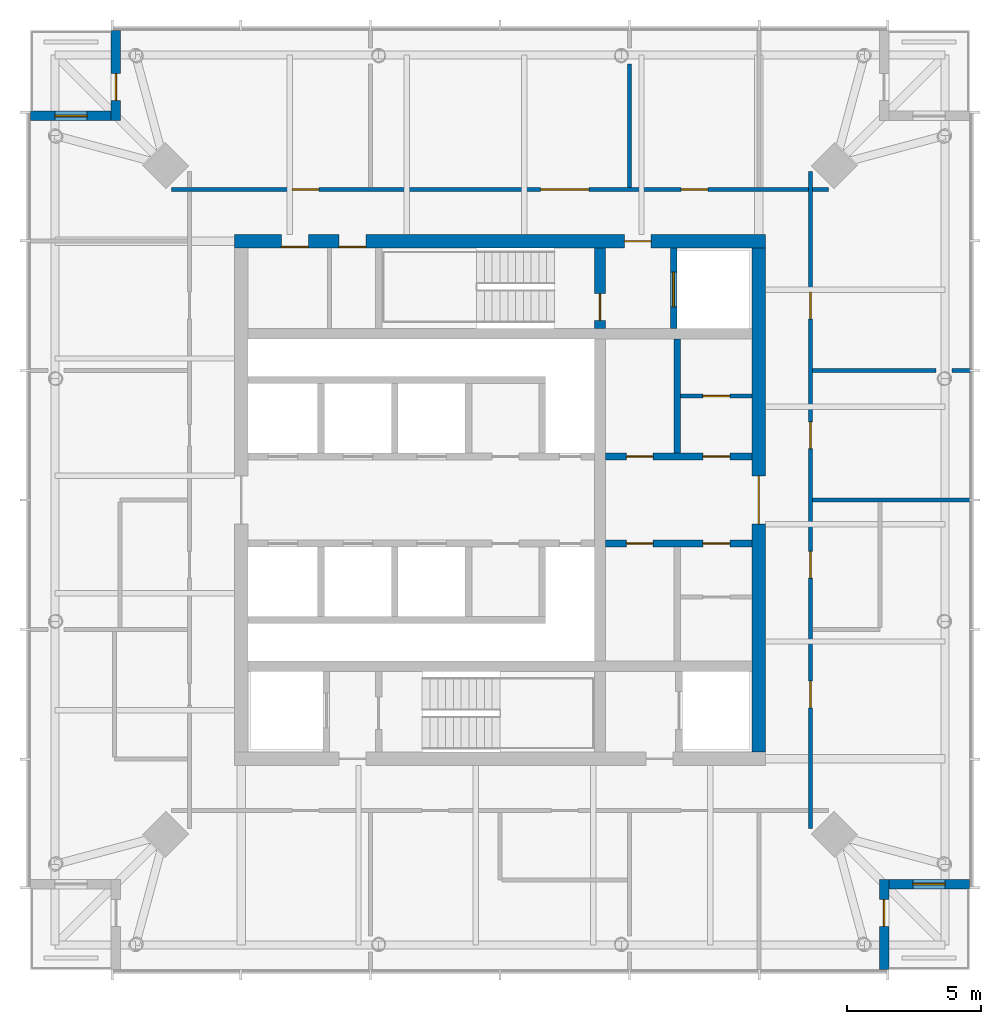
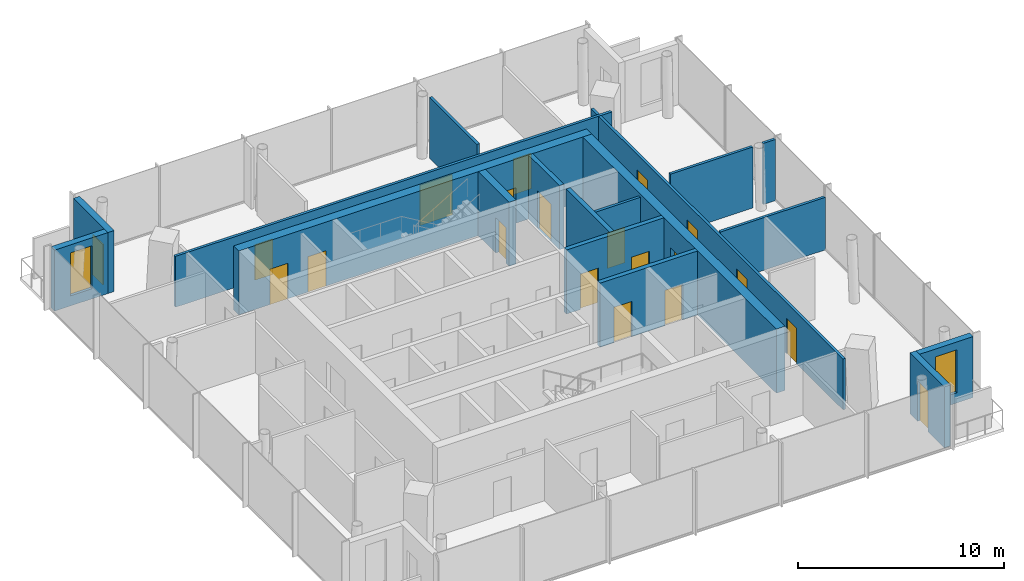
# One storey, part 5 of 7: 20 doors, 18 walls, 2 windows, 22 openings.
"""IFC4 building model written with IfcOpenShell, lengths in metres."""

from ifc_helpers import new_model, si_unit, direction, frame, frame_2d, origin, place, context, subcontext, project, spatial, rectangle, extrude, material, layer, layer_set, type_object, element, fill, save


model = new_model("IFC4")

# Units and contexts
model_context = context("Model", 3, precision=1e-05, world=origin(), true_north=direction((0.0, 1.0)))
body_context = subcontext(model_context, "Body", "Model", "MODEL_VIEW")
ifc_project = project(units=[si_unit("LENGTHUNIT", "METRE"), si_unit("AREAUNIT", "SQUARE_METRE"), si_unit("VOLUMEUNIT", "CUBIC_METRE"), si_unit("PLANEANGLEUNIT", "RADIAN"), si_unit("MASSUNIT", "GRAM", prefix="KILO")], contexts=[model_context])

# Site, building, storey
site_placement = place(None, origin())
site = spatial("IfcSite", under=ifc_project, at=site_placement, CompositionType="ELEMENT")
building_placement = place(site_placement, origin())
building = spatial("IfcBuilding", under=site, at=building_placement, Name="Ostroluk Exchange", CompositionType="ELEMENT")
storey_placement = place(building_placement, frame((0.0, 0.0, 252.800048828125)))
storey = spatial("IfcBuildingStorey", under=building, at=storey_placement, Name="L65", CompositionType="ELEMENT", Elevation=252.800048828125)

# Wall, opening, door
ifc_material_1 = material(Name="Concrete blockwork", Category="masonry")
ifc_layer_1 = layer(ifc_material_1, 0.14990234375)
ifc_layer_set_1 = layer_set([ifc_layer_1], Name="Blockwork plant room wall 150")
wall_type_1 = type_object("IfcWallType", Name="Blockwork plant room wall 150", PredefinedType="SOLIDWALL", material=ifc_layer_set_1)
wall_1_placement = place(storey_placement, frame((51.739990234375, 49.875, 0.0), z_axis=(0.0, 0.0, 1.0), x_axis=(1.0, 0.0, 0.0)))
wall_1 = element("IfcWall", 1, at=wall_1_placement, inside=storey, type_object=wall_type_1, Name="Core room wall", PredefinedType="SOLIDWALL", context=body_context, shape_type="SweptSolid", body=[
    extrude(rectangle(XDim=2.659912109375, YDim=0.14990234375, at=frame_2d((1.330078125, 0.0))), origin(), (0.0, 0.0, 1.0), 3.619873046875),
])
opening_1_placement = place(wall_1_placement, frame((0.830078125, 0.0, 0.0)))
opening_1 = element("IfcOpeningElement", 2, at=opening_1_placement, cuts=wall_1, Name="Opening FD60", PredefinedType="OPENING", context=body_context, shape_type="SweptSolid", body=[
    extrude(rectangle(XDim=1.0, YDim=2.10009765625, at=frame_2d((0.5, 1.050048828125))), frame((0.0, 0.0849609375, 0.0), z_axis=(0.0, -1.0, 0.0), x_axis=(1.0, 0.0, 0.0)), (0.0, 0.0, 1.0), 0.169921875),
])
ifc_material_2 = material(Name="Steel", Category="steel")
door_type_1 = type_object("IfcDoorType", Name="Fire door EI 60 1000 x 2100", OperationType="SINGLE_SWING_LEFT", PredefinedType="DOOR", material=ifc_material_2)
door_1_placement = place(opening_1_placement, origin())
door_1 = element("IfcDoor", 3, at=door_1_placement, inside=storey, type_object=door_type_1, Name="Equipment store door", OperationType="SINGLE_SWING_RIGHT", OverallHeight=2.10009765625, OverallWidth=1.0, PredefinedType="DOOR", context=body_context, shape_type="SweptSolid", body=[
    extrude(rectangle(XDim=1.0, YDim=2.10009765625, at=frame_2d((0.5, 1.050048828125))), frame((0.0, 0.02490234375, 0.0), z_axis=(0.0, -1.0, 0.0), x_axis=(1.0, 0.0, 0.0)), (0.0, 0.0, 1.0), 0.050048828125),
])
fill(opening_1, door_1)

ifc_material_3 = material(Name="Concrete C50/60", Category="concrete")
ifc_layer_2 = layer(ifc_material_3, 0.39990234375)
ifc_layer_set_2 = layer_set([ifc_layer_2], Name="Core cross wall 400 C50/60")
wall_type_2 = type_object("IfcWallType", Name="Core cross wall 400 C50/60", PredefinedType="SHEAR", material=ifc_layer_set_2)
wall_2_placement = place(storey_placement, frame((48.72998046875, 52.39990234375, 0.0), z_axis=(0.0, 0.0, 1.0), x_axis=(0.0, 1.0, 0.0)))
wall_2 = element("IfcWall", 4, at=wall_2_placement, inside=storey, type_object=wall_type_2, Name="T1 core wall YE3", PredefinedType="SHEAR", context=body_context, shape_type="SweptSolid", body=[
    extrude(rectangle(XDim=3.0, YDim=0.39990234375, at=frame_2d((1.5, 0.0))), origin(), (0.0, 0.0, 1.0), 3.800048828125),
])
opening_2_placement = place(wall_2_placement, frame((0.300048828125, 0.0, 0.0)))
opening_2 = element("IfcOpeningElement", 5, at=opening_2_placement, cuts=wall_2, Name="Opening FD60", PredefinedType="OPENING", context=body_context, shape_type="SweptSolid", body=[
    extrude(rectangle(XDim=1.0, YDim=2.10009765625, at=frame_2d((0.5, 1.050048828125))), frame((0.0, 0.2099609375, 0.0), z_axis=(0.0, -1.0, 0.0), x_axis=(1.0, 0.0, 0.0)), (0.0, 0.0, 1.0), 0.419921875),
])
door_2_placement = place(opening_2_placement, origin())
door_2 = element("IfcDoor", 6, at=door_2_placement, inside=storey, type_object=door_type_1, Name="Stair T1-S2 door", OperationType="SINGLE_SWING_LEFT", OverallHeight=2.10009765625, OverallWidth=1.0, PredefinedType="DOOR", context=body_context, shape_type="SweptSolid", body=[
    extrude(rectangle(XDim=1.0, YDim=2.10009765625, at=frame_2d((0.5, 1.050048828125))), frame((0.0, 0.02490234375, 0.0), z_axis=(0.0, -1.0, 0.0), x_axis=(1.0, 0.0, 0.0)), (0.0, 0.0, 1.0), 0.050048828125),
])
fill(opening_2, door_2)

ifc_material_4 = material(Name="Concrete C40/50", Category="concrete")
ifc_layer_3 = layer(ifc_material_4, 0.25)
ifc_layer_set_3 = layer_set([ifc_layer_3], Name="Core shaft wall 250")
wall_type_3 = type_object("IfcWallType", Name="Core shaft wall 250", PredefinedType="SHEAR", material=ifc_layer_set_3)
wall_3_placement = place(storey_placement, frame((51.47509765625, 52.39990234375, 0.0), z_axis=(0.0, 0.0, 1.0), x_axis=(0.0, 1.0, 0.0)))
wall_3 = element("IfcWall", 7, at=wall_3_placement, inside=storey, type_object=wall_type_3, Name="Firefighting lift shaft wall", PredefinedType="SHEAR", context=body_context, shape_type="SweptSolid", body=[
    extrude(rectangle(XDim=3.0, YDim=0.25, at=frame_2d((1.5, 0.0))), origin(), (0.0, 0.0, 1.0), 3.800048828125),
])
opening_3_placement = place(wall_3_placement, frame((0.800048828125, 0.0, 0.0)))
opening_3 = element("IfcOpeningElement", 8, at=opening_3_placement, cuts=wall_3, Name="Opening LD2", PredefinedType="OPENING", context=body_context, shape_type="SweptSolid", body=[
    extrude(rectangle(XDim=1.300048828125, YDim=2.199951171875, at=frame_2d((0.64990234375, 1.10009765625))), frame((0.0, 0.135009765625, 0.0), z_axis=(0.0, -1.0, 0.0), x_axis=(1.0, 0.0, 0.0)), (0.0, 0.0, 1.0), 0.27001953125),
])
ifc_material_5 = material(Name="Stainless steel", Category="steel")
door_type_2 = type_object("IfcDoorType", Name="Lift landing door E 60 1300 x 2200", OperationType="DOUBLE_DOOR_SLIDING", PredefinedType="DOOR", material=ifc_material_5)
door_3_placement = place(opening_3_placement, origin())
door_3 = element("IfcDoor", 9, at=door_3_placement, inside=storey, type_object=door_type_2, Name="Lift FL2 landing door", OperationType="DOUBLE_DOOR_SLIDING", OverallHeight=2.199951171875, OverallWidth=1.300048828125, PredefinedType="DOOR", context=body_context, shape_type="SweptSolid", body=[
    extrude(rectangle(XDim=1.300048828125, YDim=2.199951171875, at=frame_2d((0.64990234375, 1.10009765625))), frame((0.0, 0.02490234375, 0.0), z_axis=(0.0, -1.0, 0.0), x_axis=(1.0, 0.0, 0.0)), (0.0, 0.0, 1.0), 0.050048828125),
])
fill(opening_3, door_3)

# Wall
wall_4_placement = place(storey_placement, frame((51.614990234375, 47.75, 0.0), z_axis=(0.0, 0.0, 1.0), x_axis=(0.0, 1.0, 0.0)))
element("IfcWall", 10, at=wall_4_placement, inside=storey, type_object=wall_type_3, Name="Lift shaft wall", PredefinedType="SHEAR", context=body_context, shape_type="SweptSolid", body=[
    extrude(rectangle(XDim=4.25, YDim=0.25, at=frame_2d((2.125, 0.0))), origin(), (0.0, 0.0, 1.0), 3.800048828125),
])

# Wall, openings, doors
wall_5_placement = place(storey_placement, frame((48.929931640625, 47.625, 0.0), z_axis=(0.0, 0.0, 1.0), x_axis=(1.0, 0.0, 0.0)))
wall_5 = element("IfcWall", 11, at=wall_5_placement, inside=storey, type_object=wall_type_3, Name="Lift shaft front wall", PredefinedType="SHEAR", context=body_context, shape_type="SweptSolid", body=[
    extrude(rectangle(XDim=5.469970703125, YDim=0.25, at=frame_2d((2.73486328125, 0.0))), origin(), (0.0, 0.0, 1.0), 3.800048828125),
])
opening_4_placement = place(wall_5_placement, frame((0.780029296875, 0.0, 0.0)))
opening_4 = element("IfcOpeningElement", 12, at=opening_4_placement, cuts=wall_5, Name="Opening FD60", PredefinedType="OPENING", context=body_context, shape_type="SweptSolid", body=[
    extrude(rectangle(XDim=1.0, YDim=2.10009765625, at=frame_2d((0.5, 1.050048828125))), frame((0.0, 0.135009765625, 0.0), z_axis=(0.0, -1.0, 0.0), x_axis=(1.0, 0.0, 0.0)), (0.0, 0.0, 1.0), 0.27001953125),
])
opening_5_placement = place(wall_5_placement, frame((3.639892578125, 0.0, 0.0)))
opening_5 = element("IfcOpeningElement", 13, at=opening_5_placement, cuts=wall_5, Name="Opening FD60", PredefinedType="OPENING", context=body_context, shape_type="SweptSolid", body=[
    extrude(rectangle(XDim=1.0, YDim=2.10009765625, at=frame_2d((0.5, 1.050048828125))), frame((0.0, 0.135009765625, 0.0), z_axis=(0.0, -1.0, 0.0), x_axis=(1.0, 0.0, 0.0)), (0.0, 0.0, 1.0), 0.27001953125),
])
door_4_placement = place(opening_4_placement, origin())
door_4 = element("IfcDoor", 14, at=door_4_placement, inside=storey, type_object=door_type_1, Name="Core room door", OperationType="SINGLE_SWING_LEFT", OverallHeight=2.10009765625, OverallWidth=1.0, PredefinedType="DOOR", context=body_context, shape_type="SweptSolid", body=[
    extrude(rectangle(XDim=1.0, YDim=2.10009765625, at=frame_2d((0.5, 1.050048828125))), frame((0.0, 0.02490234375, 0.0), z_axis=(0.0, -1.0, 0.0), x_axis=(1.0, 0.0, 0.0)), (0.0, 0.0, 1.0), 0.050048828125),
])
fill(opening_4, door_4)
door_5_placement = place(opening_5_placement, origin())
door_5 = element("IfcDoor", 15, at=door_5_placement, inside=storey, type_object=door_type_1, Name="Core room door", OperationType="SINGLE_SWING_RIGHT", OverallHeight=2.10009765625, OverallWidth=1.0, PredefinedType="DOOR", context=body_context, shape_type="SweptSolid", body=[
    extrude(rectangle(XDim=1.0, YDim=2.10009765625, at=frame_2d((0.5, 1.050048828125))), frame((0.0, 0.02490234375, 0.0), z_axis=(0.0, -1.0, 0.0), x_axis=(1.0, 0.0, 0.0)), (0.0, 0.0, 1.0), 0.050048828125),
])
fill(opening_5, door_5)

wall_6_placement = place(storey_placement, frame((48.929931640625, 44.375, 0.0), z_axis=(0.0, 0.0, 1.0), x_axis=(1.0, 0.0, 0.0)))
wall_6 = element("IfcWall", 16, at=wall_6_placement, inside=storey, type_object=wall_type_3, Name="Lift shaft front wall", PredefinedType="SHEAR", context=body_context, shape_type="SweptSolid", body=[
    extrude(rectangle(XDim=5.469970703125, YDim=0.25, at=frame_2d((2.73486328125, 0.0))), origin(), (0.0, 0.0, 1.0), 3.800048828125),
])
opening_6_placement = place(wall_6_placement, frame((0.780029296875, 0.0, 0.0)))
opening_6 = element("IfcOpeningElement", 17, at=opening_6_placement, cuts=wall_6, Name="Opening FD60", PredefinedType="OPENING", context=body_context, shape_type="SweptSolid", body=[
    extrude(rectangle(XDim=1.0, YDim=2.10009765625, at=frame_2d((0.5, 1.050048828125))), frame((0.0, 0.135009765625, 0.0), z_axis=(0.0, -1.0, 0.0), x_axis=(1.0, 0.0, 0.0)), (0.0, 0.0, 1.0), 0.27001953125),
])
opening_7_placement = place(wall_6_placement, frame((3.639892578125, 0.0, 0.0)))
opening_7 = element("IfcOpeningElement", 18, at=opening_7_placement, cuts=wall_6, Name="Opening FD60", PredefinedType="OPENING", context=body_context, shape_type="SweptSolid", body=[
    extrude(rectangle(XDim=1.0, YDim=2.10009765625, at=frame_2d((0.5, 1.050048828125))), frame((0.0, 0.135009765625, 0.0), z_axis=(0.0, -1.0, 0.0), x_axis=(1.0, 0.0, 0.0)), (0.0, 0.0, 1.0), 0.27001953125),
])
door_6_placement = place(opening_6_placement, origin())
door_6 = element("IfcDoor", 19, at=door_6_placement, inside=storey, type_object=door_type_1, Name="Core room door", OperationType="SINGLE_SWING_LEFT", OverallHeight=2.10009765625, OverallWidth=1.0, PredefinedType="DOOR", context=body_context, shape_type="SweptSolid", body=[
    extrude(rectangle(XDim=1.0, YDim=2.10009765625, at=frame_2d((0.5, 1.050048828125))), frame((0.0, 0.02490234375, 0.0), z_axis=(0.0, -1.0, 0.0), x_axis=(1.0, 0.0, 0.0)), (0.0, 0.0, 1.0), 0.050048828125),
])
fill(opening_6, door_6)
door_7_placement = place(opening_7_placement, origin())
door_7 = element("IfcDoor", 20, at=door_7_placement, inside=storey, type_object=door_type_1, Name="Core room door", OperationType="SINGLE_SWING_RIGHT", OverallHeight=2.10009765625, OverallWidth=1.0, PredefinedType="DOOR", context=body_context, shape_type="SweptSolid", body=[
    extrude(rectangle(XDim=1.0, YDim=2.10009765625, at=frame_2d((0.5, 1.050048828125))), frame((0.0, 0.02490234375, 0.0), z_axis=(0.0, -1.0, 0.0), x_axis=(1.0, 0.0, 0.0)), (0.0, 0.0, 1.0), 0.050048828125),
])
fill(opening_7, door_7)

ifc_material_6 = material(Name="Concrete C50/60", Category="concrete")
ifc_layer_4 = layer(ifc_material_6, 0.5)
ifc_layer_set_4 = layer_set([ifc_layer_4], Name="Core wall 500 C50/60")
wall_type_4 = type_object("IfcWallType", Name="Core wall 500 C50/60", PredefinedType="SHEAR", material=ifc_layer_set_4)
wall_7_placement = place(storey_placement, frame((35.10009765625, 55.64990234375, 0.0), z_axis=(0.0, 0.0, 1.0), x_axis=(1.0, 0.0, 0.0)))
wall_7 = element("IfcWall", 21, at=wall_7_placement, inside=storey, type_object=wall_type_4, Name="T1 core wall N", PredefinedType="SHEAR", context=body_context, shape_type="SweptSolid", body=[
    extrude(rectangle(XDim=19.7998046875, YDim=0.5, at=frame_2d((9.89990234375, 0.0))), origin(), (0.0, 0.0, 1.0), 3.800048828125),
])
opening_8_placement = place(wall_7_placement, frame((14.5400390625, 0.0, 0.0)))
opening_8 = element("IfcOpeningElement", 22, at=opening_8_placement, cuts=wall_7, Name="Opening FD60", PredefinedType="OPENING", context=body_context, shape_type="SweptSolid", body=[
    extrude(rectangle(XDim=1.0, YDim=2.10009765625, at=frame_2d((0.5, 1.050048828125))), frame((0.0, 0.260009765625, 0.0), z_axis=(0.0, -1.0, 0.0), x_axis=(1.0, 0.0, 0.0)), (0.0, 0.0, 1.0), 0.52001953125),
])
opening_9_placement = place(wall_7_placement, frame((1.75, 0.0, 0.0)))
opening_9 = element("IfcOpeningElement", 23, at=opening_9_placement, cuts=wall_7, Name="Opening FD60", PredefinedType="OPENING", context=body_context, shape_type="SweptSolid", body=[
    extrude(rectangle(XDim=1.0, YDim=2.10009765625, at=frame_2d((0.5, 1.050048828125))), frame((0.0, 0.260009765625, 0.0), z_axis=(0.0, -1.0, 0.0), x_axis=(1.0, 0.0, 0.0)), (0.0, 0.0, 1.0), 0.52001953125),
])
opening_10_placement = place(wall_7_placement, frame((3.89501953125, 0.0, 0.0)))
opening_10 = element("IfcOpeningElement", 24, at=opening_10_placement, cuts=wall_7, Name="Opening FD60", PredefinedType="OPENING", context=body_context, shape_type="SweptSolid", body=[
    extrude(rectangle(XDim=1.0, YDim=2.10009765625, at=frame_2d((0.5, 1.050048828125))), frame((0.0, 0.260009765625, 0.0), z_axis=(0.0, -1.0, 0.0), x_axis=(1.0, 0.0, 0.0)), (0.0, 0.0, 1.0), 0.52001953125),
])
door_8_placement = place(opening_8_placement, origin())
door_8 = element("IfcDoor", 25, at=door_8_placement, inside=storey, type_object=door_type_1, Name="Firefighting lobby door", OperationType="SINGLE_SWING_RIGHT", OverallHeight=2.10009765625, OverallWidth=1.0, PredefinedType="DOOR", context=body_context, shape_type="SweptSolid", body=[
    extrude(rectangle(XDim=1.0, YDim=2.10009765625, at=frame_2d((0.5, 1.050048828125))), frame((0.0, 0.02490234375, 0.0), z_axis=(0.0, -1.0, 0.0), x_axis=(1.0, 0.0, 0.0)), (0.0, 0.0, 1.0), 0.050048828125),
])
fill(opening_8, door_8)
door_9_placement = place(opening_9_placement, origin())
door_9 = element("IfcDoor", 26, at=door_9_placement, inside=storey, type_object=door_type_1, Name="Tea point door", OperationType="SINGLE_SWING_LEFT", OverallHeight=2.10009765625, OverallWidth=1.0, PredefinedType="DOOR", context=body_context, shape_type="SweptSolid", body=[
    extrude(rectangle(XDim=1.0, YDim=2.10009765625, at=frame_2d((0.5, 1.050048828125))), frame((0.0, -0.18994140625, 0.0), z_axis=(0.0, -1.0, 0.0), x_axis=(1.0, 0.0, 0.0)), (0.0, 0.0, 1.0), 0.050048828125),
])
fill(opening_9, door_9)
door_10_placement = place(opening_10_placement, origin())
door_10 = element("IfcDoor", 27, at=door_10_placement, inside=storey, type_object=door_type_1, Name="Store door", OperationType="SINGLE_SWING_LEFT", OverallHeight=2.10009765625, OverallWidth=1.0, PredefinedType="DOOR", context=body_context, shape_type="SweptSolid", body=[
    extrude(rectangle(XDim=1.0, YDim=2.10009765625, at=frame_2d((0.5, 1.050048828125))), frame((0.0, -0.18994140625, 0.0), z_axis=(0.0, -1.0, 0.0), x_axis=(1.0, 0.0, 0.0)), (0.0, 0.0, 1.0), 0.050048828125),
])
fill(opening_10, door_10)

# Wall, opening, door
wall_8_placement = place(storey_placement, frame((54.64990234375, 36.60009765625, 0.0), z_axis=(0.0, 0.0, 1.0), x_axis=(0.0, 1.0, 0.0)))
wall_8 = element("IfcWall", 28, at=wall_8_placement, inside=storey, type_object=wall_type_4, Name="T1 core wall E", PredefinedType="SHEAR", context=body_context, shape_type="SweptSolid", body=[
    extrude(rectangle(XDim=18.7998046875, YDim=0.5, at=frame_2d((9.39990234375, 0.0))), origin(), (0.0, 0.0, 1.0), 3.800048828125),
])
opening_11_placement = place(wall_8_placement, frame((8.5, 0.0, 0.0)))
opening_11 = element("IfcOpeningElement", 29, at=opening_11_placement, cuts=wall_8, Name="Opening FD30D", PredefinedType="OPENING", context=body_context, shape_type="SweptSolid", body=[
    extrude(rectangle(XDim=1.800048828125, YDim=2.39990234375, at=frame_2d((0.89990234375, 1.199951171875))), frame((0.0, 0.260009765625, 0.0), z_axis=(0.0, -1.0, 0.0), x_axis=(1.0, 0.0, 0.0)), (0.0, 0.0, 1.0), 0.52001953125),
])
ifc_material_7 = material(Name="Timber", Category="wood")
door_type_3 = type_object("IfcDoorType", Name="Lobby double door EI 30 1800 x 2400", OperationType="DOUBLE_DOOR_SINGLE_SWING", PredefinedType="DOOR", material=ifc_material_7)
door_11_placement = place(opening_11_placement, origin())
door_11 = element("IfcDoor", 30, at=door_11_placement, inside=storey, type_object=door_type_3, Name="Lift lobby doors", OperationType="DOUBLE_DOOR_SINGLE_SWING", OverallHeight=2.39990234375, OverallWidth=1.800048828125, PredefinedType="DOOR", context=body_context, shape_type="SweptSolid", body=[
    extrude(rectangle(XDim=1.800048828125, YDim=2.39990234375, at=frame_2d((0.89990234375, 1.199951171875))), frame((0.0, 0.02490234375, 0.0), z_axis=(0.0, -1.0, 0.0), x_axis=(1.0, 0.0, 0.0)), (0.0, 0.0, 1.0), 0.050048828125),
])
fill(opening_11, door_11)

ifc_material_8 = material(Name="Limestone", Category="masonry")
ifc_layer_5 = layer(ifc_material_8, 0.35009765625)
ifc_layer_set_5 = layer_set([ifc_layer_5], Name="Limestone facade wall 350")
wall_type_5 = type_object("IfcWallType", Name="Limestone facade wall 350", PredefinedType="SOLIDWALL", material=ifc_layer_set_5)
wall_9_placement = place(storey_placement, frame((59.324951171875, 28.5, 0.0), z_axis=(0.0, 0.0, 1.0), x_axis=(0.0, 1.0, 0.0)))
wall_9 = element("IfcWall", 31, at=wall_9_placement, inside=storey, type_object=wall_type_5, Name="Office tower SE corner wall L65 a", PredefinedType="SOLIDWALL", context=body_context, shape_type="SweptSolid", body=[
    extrude(rectangle(XDim=3.35009765625, YDim=0.35009765625, at=frame_2d((1.675048828125, 0.0))), origin(), (0.0, 0.0, 1.0), 3.619873046875),
])
opening_12_placement = place(wall_9_placement, frame((1.60009765625, 0.0, 0.0)))
opening_12 = element("IfcOpeningElement", 32, at=opening_12_placement, cuts=wall_9, Name="Opening D-B1", PredefinedType="OPENING", context=body_context, shape_type="SweptSolid", body=[
    extrude(rectangle(XDim=1.0, YDim=2.39990234375, at=frame_2d((0.5, 1.199951171875))), frame((0.0, 0.18505859375, 0.0), z_axis=(0.0, -1.0, 0.0), x_axis=(1.0, 0.0, 0.0)), (0.0, 0.0, 1.0), 0.3701171875),
])
ifc_material_9 = material(Name="Bronze framed glazed door", Category="aluminium")
door_type_4 = type_object("IfcDoorType", Name="Balcony door 1000 x 2400", OperationType="SINGLE_SWING_LEFT", PredefinedType="DOOR", material=ifc_material_9)
door_12_placement = place(opening_12_placement, origin())
door_12 = element("IfcDoor", 33, at=door_12_placement, inside=storey, type_object=door_type_4, Name="Office tower SE balcony door L65", OperationType="SINGLE_SWING_RIGHT", OverallHeight=2.39990234375, OverallWidth=1.0, PredefinedType="DOOR", context=body_context, shape_type="SweptSolid", body=[
    extrude(rectangle(XDim=1.0, YDim=2.39990234375, at=frame_2d((0.5, 1.199951171875))), frame((0.0, 0.02490234375, 0.0), z_axis=(0.0, -1.0, 0.0), x_axis=(1.0, 0.0, 0.0)), (0.0, 0.0, 1.0), 0.050048828125),
])
fill(opening_12, door_12)

# Wall, opening, window
wall_10_placement = place(storey_placement, frame((59.5, 31.675048828125, 0.0), z_axis=(0.0, 0.0, 1.0), x_axis=(1.0, 0.0, 0.0)))
wall_10 = element("IfcWall", 34, at=wall_10_placement, inside=storey, type_object=wall_type_5, Name="Office tower SE corner wall L65 b", PredefinedType="SOLIDWALL", context=body_context, shape_type="SweptSolid", body=[
    extrude(rectangle(XDim=3.0, YDim=0.35009765625, at=frame_2d((1.5, 0.0))), origin(), (0.0, 0.0, 1.0), 3.619873046875),
])
opening_13_placement = place(wall_10_placement, frame((0.89990234375, 0.0, 0.60009765625)))
opening_13 = element("IfcOpeningElement", 35, at=opening_13_placement, cuts=wall_10, Name="Opening WN-L1", PredefinedType="OPENING", context=body_context, shape_type="SweptSolid", body=[
    extrude(rectangle(XDim=1.199951171875, YDim=2.550048828125, at=frame_2d((0.60009765625, 1.27490234375))), frame((0.0, 0.18505859375, 0.0), z_axis=(0.0, -1.0, 0.0), x_axis=(1.0, 0.0, 0.0)), (0.0, 0.0, 1.0), 0.3701171875),
])
ifc_material_10 = material(Name="Laminated clear glass", Category="glass")
window_type = type_object("IfcWindowType", Name="Lancet window 1200 x 2550", PartitioningType="SINGLE_PANEL", PredefinedType="WINDOW", material=ifc_material_10)
window_1_placement = place(opening_13_placement, origin())
window_1 = element("IfcWindow", 36, at=window_1_placement, inside=storey, type_object=window_type, Name="Office tower SE lancet window L65", OverallHeight=2.550048828125, OverallWidth=1.199951171875, PartitioningType="SINGLE_PANEL", PredefinedType="WINDOW", context=body_context, shape_type="SweptSolid", body=[
    extrude(rectangle(XDim=1.199951171875, YDim=2.550048828125, at=frame_2d((0.60009765625, 1.27490234375))), frame((0.0, 0.030029296875, 0.0), z_axis=(0.0, -1.0, 0.0), x_axis=(1.0, 0.0, 0.0)), (0.0, 0.0, 1.0), 0.06005859375),
])
fill(opening_13, window_1)

# Wall, opening, door
wall_11_placement = place(storey_placement, frame((30.675048828125, 63.5, 0.0), z_axis=(0.0, 0.0, 1.0), x_axis=(0.0, -1.0, 0.0)))
wall_11 = element("IfcWall", 37, at=wall_11_placement, inside=storey, type_object=wall_type_5, Name="Office tower NW corner wall L65 a", PredefinedType="SOLIDWALL", context=body_context, shape_type="SweptSolid", body=[
    extrude(rectangle(XDim=3.35009765625, YDim=0.35009765625, at=frame_2d((1.675048828125, 0.0))), origin(), (0.0, 0.0, 1.0), 3.619873046875),
])
opening_14_placement = place(wall_11_placement, frame((1.60009765625, 0.0, 0.0)))
opening_14 = element("IfcOpeningElement", 38, at=opening_14_placement, cuts=wall_11, Name="Opening D-B1", PredefinedType="OPENING", context=body_context, shape_type="SweptSolid", body=[
    extrude(rectangle(XDim=1.0, YDim=2.39990234375, at=frame_2d((0.5, 1.199951171875))), frame((0.0, 0.18505859375, 0.0), z_axis=(0.0, -1.0, 0.0), x_axis=(1.0, 0.0, 0.0)), (0.0, 0.0, 1.0), 0.3701171875),
])
door_13_placement = place(opening_14_placement, origin())
door_13 = element("IfcDoor", 39, at=door_13_placement, inside=storey, type_object=door_type_4, Name="Office tower NW balcony door L65", OperationType="SINGLE_SWING_RIGHT", OverallHeight=2.39990234375, OverallWidth=1.0, PredefinedType="DOOR", context=body_context, shape_type="SweptSolid", body=[
    extrude(rectangle(XDim=1.0, YDim=2.39990234375, at=frame_2d((0.5, 1.199951171875))), frame((0.0, 0.02490234375, 0.0), z_axis=(0.0, -1.0, 0.0), x_axis=(1.0, 0.0, 0.0)), (0.0, 0.0, 1.0), 0.050048828125),
])
fill(opening_14, door_13)

# Wall, opening, window
wall_12_placement = place(storey_placement, frame((30.5, 60.324951171875, 0.0), z_axis=(0.0, 0.0, 1.0), x_axis=(-1.0, 0.0, 0.0)))
wall_12 = element("IfcWall", 40, at=wall_12_placement, inside=storey, type_object=wall_type_5, Name="Office tower NW corner wall L65 b", PredefinedType="SOLIDWALL", context=body_context, shape_type="SweptSolid", body=[
    extrude(rectangle(XDim=3.0, YDim=0.35009765625, at=frame_2d((1.5, 0.0))), origin(), (0.0, 0.0, 1.0), 3.619873046875),
])
opening_15_placement = place(wall_12_placement, frame((0.89990234375, 0.0, 0.60009765625)))
opening_15 = element("IfcOpeningElement", 41, at=opening_15_placement, cuts=wall_12, Name="Opening WN-L1", PredefinedType="OPENING", context=body_context, shape_type="SweptSolid", body=[
    extrude(rectangle(XDim=1.199951171875, YDim=2.550048828125, at=frame_2d((0.60009765625, 1.27490234375))), frame((0.0, 0.18505859375, 0.0), z_axis=(0.0, -1.0, 0.0), x_axis=(1.0, 0.0, 0.0)), (0.0, 0.0, 1.0), 0.3701171875),
])
window_2_placement = place(opening_15_placement, origin())
window_2 = element("IfcWindow", 42, at=window_2_placement, inside=storey, type_object=window_type, Name="Office tower NW lancet window L65", OverallHeight=2.550048828125, OverallWidth=1.199951171875, PartitioningType="SINGLE_PANEL", PredefinedType="WINDOW", context=body_context, shape_type="SweptSolid", body=[
    extrude(rectangle(XDim=1.199951171875, YDim=2.550048828125, at=frame_2d((0.60009765625, 1.27490234375))), frame((0.0, 0.030029296875, 0.0), z_axis=(0.0, -1.0, 0.0), x_axis=(1.0, 0.0, 0.0)), (0.0, 0.0, 1.0), 0.06005859375),
])
fill(opening_15, window_2)

# Wall, openings, doors
ifc_material_11 = material(Name="Gypsum plasterboard partition", Category="gypsum")
ifc_layer_6 = layer(ifc_material_11, 0.14990234375)
ifc_layer_set_6 = layer_set([ifc_layer_6], Name="Plasterboard partition 150")
wall_type_6 = type_object("IfcWallType", Name="Plasterboard partition 150", PredefinedType="PARTITIONING", material=ifc_layer_set_6)
wall_13_placement = place(storey_placement, frame((56.574951171875, 33.755615234375, 0.0), z_axis=(0.0, 0.0, 1.0), x_axis=(0.0, 1.0, 0.0)))
wall_13 = element("IfcWall", 43, at=wall_13_placement, inside=storey, type_object=wall_type_6, Name="Partition", PredefinedType="PARTITIONING", context=body_context, shape_type="SweptSolid", body=[
    extrude(rectangle(XDim=24.48876953125, YDim=0.14990234375, at=frame_2d((12.244384765625, 0.0))), origin(), (0.0, 0.0, 1.0), 3.02001953125),
])
opening_16_placement = place(wall_13_placement, frame((4.494384765625, 0.0, 0.0)))
opening_16 = element("IfcOpeningElement", 44, at=opening_16_placement, cuts=wall_13, Name="Opening D-03", PredefinedType="OPENING", context=body_context, shape_type="SweptSolid", body=[
    extrude(rectangle(XDim=1.0, YDim=2.10009765625, at=frame_2d((0.5, 1.050048828125))), frame((0.0, 0.0849609375, 0.0), z_axis=(0.0, -1.0, 0.0), x_axis=(1.0, 0.0, 0.0)), (0.0, 0.0, 1.0), 0.169921875),
])
opening_17_placement = place(wall_13_placement, frame((9.32763671875, 0.0, 0.0)))
opening_17 = element("IfcOpeningElement", 45, at=opening_17_placement, cuts=wall_13, Name="Opening D-03", PredefinedType="OPENING", context=body_context, shape_type="SweptSolid", body=[
    extrude(rectangle(XDim=1.0, YDim=2.10009765625, at=frame_2d((0.5, 1.050048828125))), frame((0.0, 0.0849609375, 0.0), z_axis=(0.0, -1.0, 0.0), x_axis=(1.0, 0.0, 0.0)), (0.0, 0.0, 1.0), 0.169921875),
])
opening_18_placement = place(wall_13_placement, frame((14.160888671875, 0.0, 0.0)))
opening_18 = element("IfcOpeningElement", 46, at=opening_18_placement, cuts=wall_13, Name="Opening D-03", PredefinedType="OPENING", context=body_context, shape_type="SweptSolid", body=[
    extrude(rectangle(XDim=1.0, YDim=2.10009765625, at=frame_2d((0.5, 1.050048828125))), frame((0.0, 0.0849609375, 0.0), z_axis=(0.0, -1.0, 0.0), x_axis=(1.0, 0.0, 0.0)), (0.0, 0.0, 1.0), 0.169921875),
])
opening_19_placement = place(wall_13_placement, frame((18.994384765625, 0.0, 0.0)))
opening_19 = element("IfcOpeningElement", 47, at=opening_19_placement, cuts=wall_13, Name="Opening D-03", PredefinedType="OPENING", context=body_context, shape_type="SweptSolid", body=[
    extrude(rectangle(XDim=1.0, YDim=2.10009765625, at=frame_2d((0.5, 1.050048828125))), frame((0.0, 0.0849609375, 0.0), z_axis=(0.0, -1.0, 0.0), x_axis=(1.0, 0.0, 0.0)), (0.0, 0.0, 1.0), 0.169921875),
])
ifc_material_12 = material(Name="Timber", Category="wood")
door_type_5 = type_object("IfcDoorType", Name="Internal door 1000 x 2100", OperationType="SINGLE_SWING_LEFT", PredefinedType="DOOR", material=ifc_material_12)
door_14_placement = place(opening_16_placement, origin())
door_14 = element("IfcDoor", 48, at=door_14_placement, inside=storey, type_object=door_type_5, Name="Corner office door", OperationType="SINGLE_SWING_LEFT", OverallHeight=2.10009765625, OverallWidth=1.0, PredefinedType="DOOR", context=body_context, shape_type="SweptSolid", body=[
    extrude(rectangle(XDim=1.0, YDim=2.10009765625, at=frame_2d((0.5, 1.050048828125))), frame((0.0, 0.02490234375, 0.0), z_axis=(0.0, -1.0, 0.0), x_axis=(1.0, 0.0, 0.0)), (0.0, 0.0, 1.0), 0.050048828125),
])
fill(opening_16, door_14)
door_15_placement = place(opening_17_placement, origin())
door_15 = element("IfcDoor", 49, at=door_15_placement, inside=storey, type_object=door_type_5, Name="Pantry door", OperationType="SINGLE_SWING_LEFT", OverallHeight=2.10009765625, OverallWidth=1.0, PredefinedType="DOOR", context=body_context, shape_type="SweptSolid", body=[
    extrude(rectangle(XDim=1.0, YDim=2.10009765625, at=frame_2d((0.5, 1.050048828125))), frame((0.0, 0.02490234375, 0.0), z_axis=(0.0, -1.0, 0.0), x_axis=(1.0, 0.0, 0.0)), (0.0, 0.0, 1.0), 0.050048828125),
])
fill(opening_17, door_15)
door_16_placement = place(opening_18_placement, origin())
door_16 = element("IfcDoor", 50, at=door_16_placement, inside=storey, type_object=door_type_5, Name="Meeting room door", OperationType="SINGLE_SWING_RIGHT", OverallHeight=2.10009765625, OverallWidth=1.0, PredefinedType="DOOR", context=body_context, shape_type="SweptSolid", body=[
    extrude(rectangle(XDim=1.0, YDim=2.10009765625, at=frame_2d((0.5, 1.050048828125))), frame((0.0, 0.02490234375, 0.0), z_axis=(0.0, -1.0, 0.0), x_axis=(1.0, 0.0, 0.0)), (0.0, 0.0, 1.0), 0.050048828125),
])
fill(opening_18, door_16)
door_17_placement = place(opening_19_placement, origin())
door_17 = element("IfcDoor", 51, at=door_17_placement, inside=storey, type_object=door_type_5, Name="Office door", OperationType="SINGLE_SWING_RIGHT", OverallHeight=2.10009765625, OverallWidth=1.0, PredefinedType="DOOR", context=body_context, shape_type="SweptSolid", body=[
    extrude(rectangle(XDim=1.0, YDim=2.10009765625, at=frame_2d((0.5, 1.050048828125))), frame((0.0, 0.02490234375, 0.0), z_axis=(0.0, -1.0, 0.0), x_axis=(1.0, 0.0, 0.0)), (0.0, 0.0, 1.0), 0.050048828125),
])
fill(opening_19, door_17)

# Walls
wall_14_placement = place(storey_placement, frame((56.64990234375, 46.0, 0.0), z_axis=(0.0, 0.0, 1.0), x_axis=(1.0, 0.0, 0.0)))
element("IfcWall", 52, at=wall_14_placement, inside=storey, type_object=wall_type_6, Name="Partition", PredefinedType="PARTITIONING", context=body_context, shape_type="SweptSolid", body=[
    extrude(rectangle(XDim=5.89013671875, YDim=0.14990234375, at=frame_2d((2.945068359375, 0.0))), origin(), (0.0, 0.0, 1.0), 3.119873046875),
])
wall_15_placement = place(storey_placement, frame((56.64990234375, 50.833251953125, 0.0), z_axis=(0.0, 0.0, 1.0), x_axis=(1.0, 0.0, 0.0)))
element("IfcWall", 53, at=wall_15_placement, inside=storey, type_object=wall_type_6, Name="Partition", PredefinedType="PARTITIONING", context=body_context, shape_type="SweptSolid", body=[
    extrude(rectangle(XDim=4.609130859375, YDim=0.14990234375, at=frame_2d((2.3046875, 0.0))), origin(), (0.0, 0.0, 1.0), 3.619873046875),
])
wall_16_placement = place(storey_placement, frame((61.846923828125, 50.833251953125, 0.0), z_axis=(0.0, 0.0, 1.0), x_axis=(1.0, 0.0, 0.0)))
element("IfcWall", 54, at=wall_16_placement, inside=storey, type_object=wall_type_6, Name="Partition", PredefinedType="PARTITIONING", context=body_context, shape_type="SweptSolid", body=[
    extrude(rectangle(XDim=0.693115234375, YDim=0.14990234375, at=frame_2d((0.3466796875, 0.0))), origin(), (0.0, 0.0, 1.0), 3.619873046875),
])

# Wall, openings, doors
wall_17_placement = place(storey_placement, frame((57.244384765625, 57.574951171875, 0.0), z_axis=(0.0, 0.0, 1.0), x_axis=(-1.0, 0.0, 0.0)))
wall_17 = element("IfcWall", 55, at=wall_17_placement, inside=storey, type_object=wall_type_6, Name="Partition", PredefinedType="PARTITIONING", context=body_context, shape_type="SweptSolid", body=[
    extrude(rectangle(XDim=24.48876953125, YDim=0.14990234375, at=frame_2d((12.244384765625, 0.0))), origin(), (0.0, 0.0, 1.0), 3.02001953125),
])
opening_20_placement = place(wall_17_placement, frame((4.494384765625, 0.0, 0.0)))
opening_20 = element("IfcOpeningElement", 56, at=opening_20_placement, cuts=wall_17, Name="Opening D-03", PredefinedType="OPENING", context=body_context, shape_type="SweptSolid", body=[
    extrude(rectangle(XDim=1.0, YDim=2.10009765625, at=frame_2d((0.5, 1.050048828125))), frame((0.0, 0.0849609375, 0.0), z_axis=(0.0, -1.0, 0.0), x_axis=(1.0, 0.0, 0.0)), (0.0, 0.0, 1.0), 0.169921875),
])
opening_21_placement = place(wall_17_placement, frame((8.927734375, 0.0, 0.0)))
opening_21 = element("IfcOpeningElement", 57, at=opening_21_placement, cuts=wall_17, Name="Opening D-04", PredefinedType="OPENING", context=body_context, shape_type="SweptSolid", body=[
    extrude(rectangle(XDim=1.800048828125, YDim=2.39990234375, at=frame_2d((0.89990234375, 1.199951171875))), frame((0.0, 0.0849609375, 0.0), z_axis=(0.0, -1.0, 0.0), x_axis=(1.0, 0.0, 0.0)), (0.0, 0.0, 1.0), 0.169921875),
])
opening_22_placement = place(wall_17_placement, frame((18.994384765625, 0.0, 0.0)))
opening_22 = element("IfcOpeningElement", 58, at=opening_22_placement, cuts=wall_17, Name="Opening D-03", PredefinedType="OPENING", context=body_context, shape_type="SweptSolid", body=[
    extrude(rectangle(XDim=1.0, YDim=2.10009765625, at=frame_2d((0.5, 1.050048828125))), frame((0.0, 0.0849609375, 0.0), z_axis=(0.0, -1.0, 0.0), x_axis=(1.0, 0.0, 0.0)), (0.0, 0.0, 1.0), 0.169921875),
])
ifc_material_13 = material(Name="Timber", Category="wood")
door_type_6 = type_object("IfcDoorType", Name="Double door 1800 x 2400", OperationType="DOUBLE_DOOR_SINGLE_SWING", PredefinedType="DOOR", material=ifc_material_13)
door_18_placement = place(opening_21_placement, origin())
door_18 = element("IfcDoor", 59, at=door_18_placement, inside=storey, type_object=door_type_6, Name="Boardroom door", OperationType="DOUBLE_DOOR_SINGLE_SWING", OverallHeight=2.39990234375, OverallWidth=1.800048828125, PredefinedType="DOOR", context=body_context, shape_type="SweptSolid", body=[
    extrude(rectangle(XDim=1.800048828125, YDim=2.39990234375, at=frame_2d((0.89990234375, 1.199951171875))), frame((0.0, 0.02490234375, 0.0), z_axis=(0.0, -1.0, 0.0), x_axis=(1.0, 0.0, 0.0)), (0.0, 0.0, 1.0), 0.050048828125),
])
fill(opening_21, door_18)
door_19_placement = place(opening_20_placement, origin())
door_19 = element("IfcDoor", 60, at=door_19_placement, inside=storey, type_object=door_type_5, Name="Office door", OperationType="SINGLE_SWING_LEFT", OverallHeight=2.10009765625, OverallWidth=1.0, PredefinedType="DOOR", context=body_context, shape_type="SweptSolid", body=[
    extrude(rectangle(XDim=1.0, YDim=2.10009765625, at=frame_2d((0.5, 1.050048828125))), frame((0.0, 0.02490234375, 0.0), z_axis=(0.0, -1.0, 0.0), x_axis=(1.0, 0.0, 0.0)), (0.0, 0.0, 1.0), 0.050048828125),
])
fill(opening_20, door_19)
door_20_placement = place(opening_22_placement, origin())
door_20 = element("IfcDoor", 61, at=door_20_placement, inside=storey, type_object=door_type_5, Name="Office door", OperationType="SINGLE_SWING_RIGHT", OverallHeight=2.10009765625, OverallWidth=1.0, PredefinedType="DOOR", context=body_context, shape_type="SweptSolid", body=[
    extrude(rectangle(XDim=1.0, YDim=2.10009765625, at=frame_2d((0.5, 1.050048828125))), frame((0.0, 0.02490234375, 0.0), z_axis=(0.0, -1.0, 0.0), x_axis=(1.0, 0.0, 0.0)), (0.0, 0.0, 1.0), 0.050048828125),
])
fill(opening_22, door_20)

# Wall
wall_18_placement = place(storey_placement, frame((49.833251953125, 57.64990234375, 0.0), z_axis=(0.0, 0.0, 1.0), x_axis=(0.0, 1.0, 0.0)))
element("IfcWall", 62, at=wall_18_placement, inside=storey, type_object=wall_type_6, Name="Partition", PredefinedType="PARTITIONING", context=body_context, shape_type="SweptSolid", body=[
    extrude(rectangle(XDim=4.609130859375, YDim=0.14990234375, at=frame_2d((2.3046875, 0.0))), origin(), (0.0, 0.0, 1.0), 3.619873046875),
])

save(model, "model.ifc")
